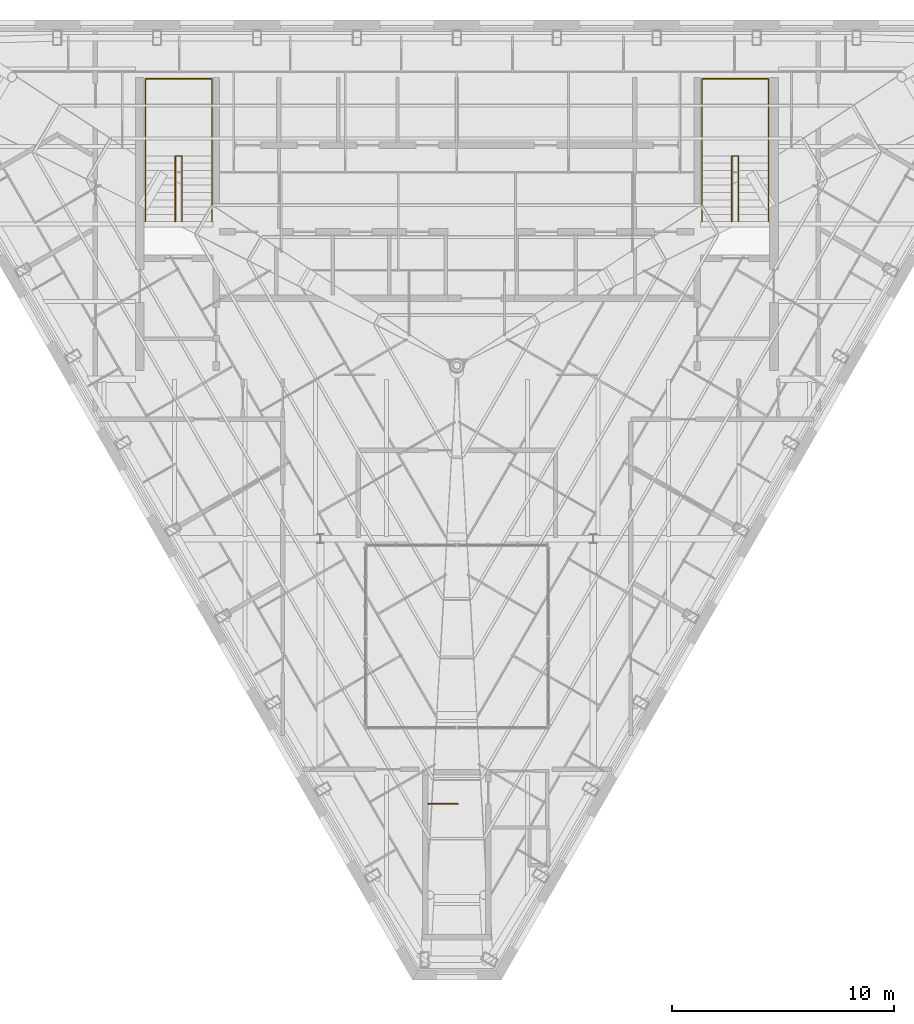
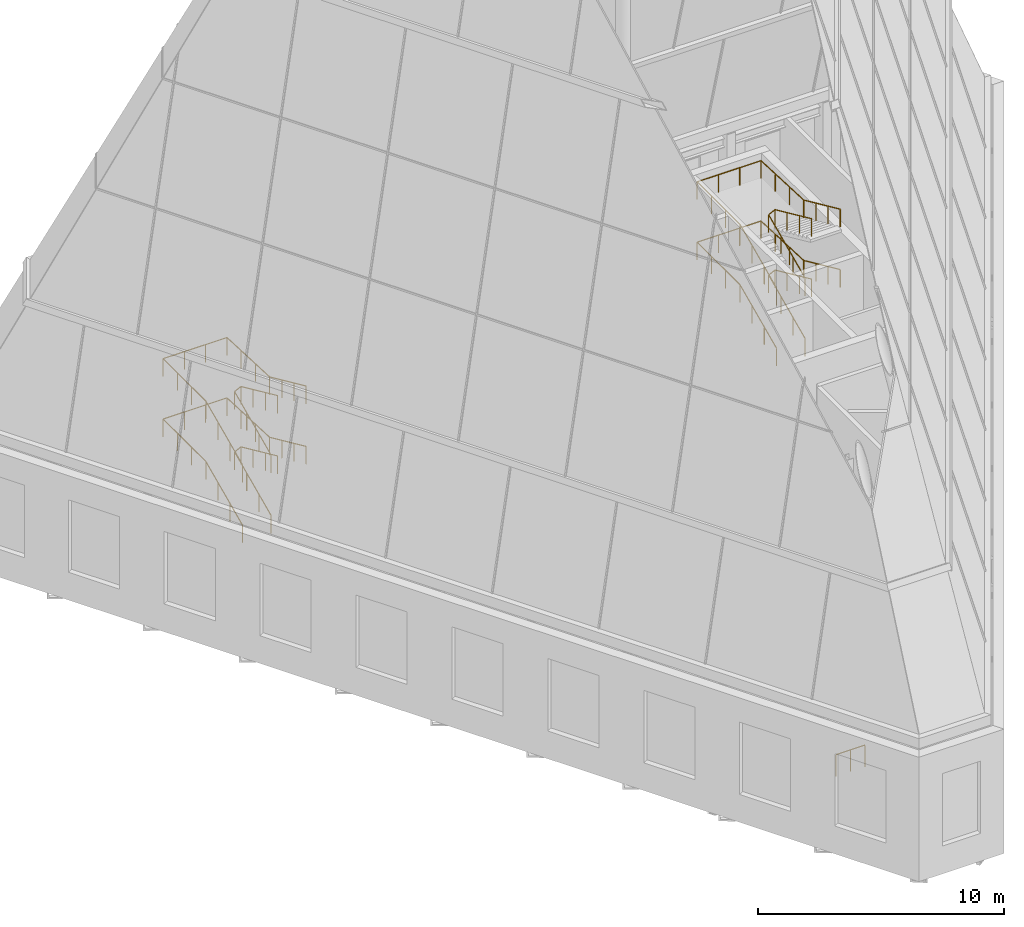
# One storey, part 36 of 36: 9 railings.
"""IFC4 building model written with IfcOpenShell, lengths in metres."""

from ifc_helpers import new_model, si_unit, direction, frame, origin, origin_2d, place, context, subcontext, project, spatial, circle, extrude, material, type_object, element, save


model = new_model("IFC4")

# Units and contexts
model_context = context("Model", 3, precision=1e-05, world=origin(), true_north=direction((0.0, 1.0)))
body_context = subcontext(model_context, "Body", "Model", "MODEL_VIEW")
ifc_project = project(units=[si_unit("LENGTHUNIT", "METRE"), si_unit("AREAUNIT", "SQUARE_METRE"), si_unit("VOLUMEUNIT", "CUBIC_METRE"), si_unit("PLANEANGLEUNIT", "RADIAN"), si_unit("MASSUNIT", "GRAM", prefix="KILO")], contexts=[model_context])

# Site, building, storey
site_placement = place(None, origin())
site = spatial("IfcSite", under=ifc_project, at=site_placement, CompositionType="ELEMENT")
building_placement = place(site_placement, origin())
building = spatial("IfcBuilding", under=site, at=building_placement, Name="Njiva Tower", CompositionType="ELEMENT")
storey_placement = place(building_placement, frame((0.0, 0.0, 337.8)))
storey = spatial("IfcBuildingStorey", under=building, at=storey_placement, Name="L77", CompositionType="ELEMENT", Elevation=337.8)

# Railings
ifc_material = material(Name="Stainless steel", Category="steel")
railing_type_1 = type_object("IfcRailingType", Name="RL1 Stair handrail 900", PredefinedType="HANDRAIL", material=ifc_material)
railing_1_placement = place(storey_placement, frame((-14.05, 11.1, 0.15)))
element("IfcRailing", 1, at=railing_1_placement, inside=storey, type_object=railing_type_1, Name="Stair A handrail", PredefinedType="HANDRAIL", context=body_context, shape_type="SweptSolid", body=[
    extrude(circle(Radius=0.024, at=origin_2d()), frame((0.0, 0.0, 0.876), z_axis=(0.0, 0.910366477463, 0.413802944301), x_axis=(-1.0, 0.0, 0.0)), (0.0, 0.0, 1.0), 3.2624),
    extrude(circle(Radius=0.024, at=origin_2d()), frame((0.0, 2.97, 2.226), z_axis=(0.0, 1.0, 0.0), x_axis=(-1.0, 0.0, 0.0)), (0.0, 0.0, 1.0), 3.48),
    extrude(circle(Radius=0.024, at=origin_2d()), frame((0.0, 6.45, 2.226), z_axis=(1.0, 0.0, 0.0), x_axis=(0.0, 1.0, 0.0)), (0.0, 0.0, 1.0), 3.0),
    extrude(circle(Radius=0.024, at=origin_2d()), frame((3.0, 6.45, 2.226), z_axis=(0.0, -0.999072338805, 0.04306346288), x_axis=(1.0, 0.0, 0.0)), (0.0, 0.0, 1.0), 3.4832),
    extrude(circle(Radius=0.024, at=origin_2d()), frame((3.0, 2.97, 2.376), z_axis=(0.0, -0.910366477463, 0.413802944301), x_axis=(1.0, 0.0, 0.0)), (0.0, 0.0, 1.0), 3.2624),
    extrude(circle(Radius=0.021, at=origin_2d()), origin(), (0.0, 0.0, 1.0), 0.852),
    extrude(circle(Radius=0.021, at=origin_2d()), frame((0.0, 0.99, 0.45)), (0.0, 0.0, 1.0), 0.852),
    extrude(circle(Radius=0.021, at=origin_2d()), frame((0.0, 1.98, 0.9)), (0.0, 0.0, 1.0), 0.852),
    extrude(circle(Radius=0.021, at=origin_2d()), frame((0.0, 2.97, 1.35)), (0.0, 0.0, 1.0), 0.852),
    extrude(circle(Radius=0.021, at=origin_2d()), frame((0.0, 4.13, 1.35)), (0.0, 0.0, 1.0), 0.852),
    extrude(circle(Radius=0.021, at=origin_2d()), frame((0.0, 5.29, 1.35)), (0.0, 0.0, 1.0), 0.852),
    extrude(circle(Radius=0.021, at=origin_2d()), frame((0.0, 6.45, 1.35)), (0.0, 0.0, 1.0), 0.852),
    extrude(circle(Radius=0.021, at=origin_2d()), frame((1.0, 6.45, 1.35)), (0.0, 0.0, 1.0), 0.852),
    extrude(circle(Radius=0.021, at=origin_2d()), frame((2.0, 6.45, 1.35)), (0.0, 0.0, 1.0), 0.852),
    extrude(circle(Radius=0.021, at=origin_2d()), frame((3.0, 6.45, 1.35)), (0.0, 0.0, 1.0), 0.852),
    extrude(circle(Radius=0.021, at=origin_2d()), frame((3.0, 5.29, 1.4)), (0.0, 0.0, 1.0), 0.852),
    extrude(circle(Radius=0.021, at=origin_2d()), frame((3.0, 4.13, 1.45)), (0.0, 0.0, 1.0), 0.852),
    extrude(circle(Radius=0.021, at=origin_2d()), frame((3.0, 2.97, 1.5)), (0.0, 0.0, 1.0), 0.852),
    extrude(circle(Radius=0.021, at=origin_2d()), frame((3.0, 1.98, 1.95)), (0.0, 0.0, 1.0), 0.852),
    extrude(circle(Radius=0.021, at=origin_2d()), frame((3.0, 0.99, 2.4)), (0.0, 0.0, 1.0), 0.852),
    extrude(circle(Radius=0.021, at=origin_2d()), frame((3.0, 0.0, 2.85)), (0.0, 0.0, 1.0), 0.852),
])
railing_2_placement = place(storey_placement, frame((-12.7, 11.1, 0.15)))
element("IfcRailing", 2, at=railing_2_placement, inside=storey, type_object=railing_type_1, Name="Stair A handrail", PredefinedType="HANDRAIL", context=body_context, shape_type="SweptSolid", body=[
    extrude(circle(Radius=0.024, at=origin_2d()), frame((0.0, 0.0, 0.876), z_axis=(0.0, 0.910366477463, 0.413802944301), x_axis=(-1.0, 0.0, 0.0)), (0.0, 0.0, 1.0), 3.2624),
    extrude(circle(Radius=0.024, at=origin_2d()), frame((0.0, 2.97, 2.226), z_axis=(0.894427191, 0.0, 0.4472135955), x_axis=(0.0, 1.0, 0.0)), (0.0, 0.0, 1.0), 0.3354),
    extrude(circle(Radius=0.024, at=origin_2d()), frame((0.3, 2.97, 2.376), z_axis=(0.0, -0.910366477463, 0.413802944301), x_axis=(1.0, 0.0, 0.0)), (0.0, 0.0, 1.0), 3.2624),
    extrude(circle(Radius=0.021, at=origin_2d()), origin(), (0.0, 0.0, 1.0), 0.852),
    extrude(circle(Radius=0.021, at=origin_2d()), frame((0.0, 0.99, 0.45)), (0.0, 0.0, 1.0), 0.852),
    extrude(circle(Radius=0.021, at=origin_2d()), frame((0.0, 1.98, 0.9)), (0.0, 0.0, 1.0), 0.852),
    extrude(circle(Radius=0.021, at=origin_2d()), frame((0.0, 2.97, 1.35)), (0.0, 0.0, 1.0), 0.852),
    extrude(circle(Radius=0.021, at=origin_2d()), frame((0.3, 2.97, 1.5)), (0.0, 0.0, 1.0), 0.852),
    extrude(circle(Radius=0.021, at=origin_2d()), frame((0.3, 1.98, 1.95)), (0.0, 0.0, 1.0), 0.852),
    extrude(circle(Radius=0.021, at=origin_2d()), frame((0.3, 0.99, 2.4)), (0.0, 0.0, 1.0), 0.852),
    extrude(circle(Radius=0.021, at=origin_2d()), frame((0.3, 0.0, 2.85)), (0.0, 0.0, 1.0), 0.852),
])
railing_3_placement = place(storey_placement, frame((-14.05, 11.1, 3.15)))
element("IfcRailing", 3, at=railing_3_placement, inside=storey, type_object=railing_type_1, Name="Stair A handrail", PredefinedType="HANDRAIL", context=body_context, shape_type="SweptSolid", body=[
    extrude(circle(Radius=0.024, at=origin_2d()), frame((0.0, 0.0, 0.876), z_axis=(0.0, 0.910366477463, 0.413802944301), x_axis=(-1.0, 0.0, 0.0)), (0.0, 0.0, 1.0), 3.2624),
    extrude(circle(Radius=0.024, at=origin_2d()), frame((0.0, 2.97, 2.226), z_axis=(0.0, 1.0, 0.0), x_axis=(-1.0, 0.0, 0.0)), (0.0, 0.0, 1.0), 3.48),
    extrude(circle(Radius=0.024, at=origin_2d()), frame((0.0, 6.45, 2.226), z_axis=(1.0, 0.0, 0.0), x_axis=(0.0, 1.0, 0.0)), (0.0, 0.0, 1.0), 3.0),
    extrude(circle(Radius=0.024, at=origin_2d()), frame((3.0, 6.45, 2.226), z_axis=(0.0, -0.999072338805, 0.04306346288), x_axis=(1.0, 0.0, 0.0)), (0.0, 0.0, 1.0), 3.4832),
    extrude(circle(Radius=0.024, at=origin_2d()), frame((3.0, 2.97, 2.376), z_axis=(0.0, -0.910366477463, 0.413802944301), x_axis=(1.0, 0.0, 0.0)), (0.0, 0.0, 1.0), 3.2624),
    extrude(circle(Radius=0.021, at=origin_2d()), origin(), (0.0, 0.0, 1.0), 0.852),
    extrude(circle(Radius=0.021, at=origin_2d()), frame((0.0, 0.99, 0.45)), (0.0, 0.0, 1.0), 0.852),
    extrude(circle(Radius=0.021, at=origin_2d()), frame((0.0, 1.98, 0.9)), (0.0, 0.0, 1.0), 0.852),
    extrude(circle(Radius=0.021, at=origin_2d()), frame((0.0, 2.97, 1.35)), (0.0, 0.0, 1.0), 0.852),
    extrude(circle(Radius=0.021, at=origin_2d()), frame((0.0, 4.13, 1.35)), (0.0, 0.0, 1.0), 0.852),
    extrude(circle(Radius=0.021, at=origin_2d()), frame((0.0, 5.29, 1.35)), (0.0, 0.0, 1.0), 0.852),
    extrude(circle(Radius=0.021, at=origin_2d()), frame((0.0, 6.45, 1.35)), (0.0, 0.0, 1.0), 0.852),
    extrude(circle(Radius=0.021, at=origin_2d()), frame((1.0, 6.45, 1.35)), (0.0, 0.0, 1.0), 0.852),
    extrude(circle(Radius=0.021, at=origin_2d()), frame((2.0, 6.45, 1.35)), (0.0, 0.0, 1.0), 0.852),
    extrude(circle(Radius=0.021, at=origin_2d()), frame((3.0, 6.45, 1.35)), (0.0, 0.0, 1.0), 0.852),
    extrude(circle(Radius=0.021, at=origin_2d()), frame((3.0, 5.29, 1.4)), (0.0, 0.0, 1.0), 0.852),
    extrude(circle(Radius=0.021, at=origin_2d()), frame((3.0, 4.13, 1.45)), (0.0, 0.0, 1.0), 0.852),
    extrude(circle(Radius=0.021, at=origin_2d()), frame((3.0, 2.97, 1.5)), (0.0, 0.0, 1.0), 0.852),
    extrude(circle(Radius=0.021, at=origin_2d()), frame((3.0, 1.98, 1.95)), (0.0, 0.0, 1.0), 0.852),
    extrude(circle(Radius=0.021, at=origin_2d()), frame((3.0, 0.99, 2.4)), (0.0, 0.0, 1.0), 0.852),
    extrude(circle(Radius=0.021, at=origin_2d()), frame((3.0, 0.0, 2.85)), (0.0, 0.0, 1.0), 0.852),
])
railing_4_placement = place(storey_placement, frame((-12.7, 11.1, 3.15)))
element("IfcRailing", 4, at=railing_4_placement, inside=storey, type_object=railing_type_1, Name="Stair A handrail", PredefinedType="HANDRAIL", context=body_context, shape_type="SweptSolid", body=[
    extrude(circle(Radius=0.024, at=origin_2d()), frame((0.0, 0.0, 0.876), z_axis=(0.0, 0.910366477463, 0.413802944301), x_axis=(-1.0, 0.0, 0.0)), (0.0, 0.0, 1.0), 3.2624),
    extrude(circle(Radius=0.024, at=origin_2d()), frame((0.0, 2.97, 2.226), z_axis=(0.894427191, 0.0, 0.4472135955), x_axis=(0.0, 1.0, 0.0)), (0.0, 0.0, 1.0), 0.3354),
    extrude(circle(Radius=0.024, at=origin_2d()), frame((0.3, 2.97, 2.376), z_axis=(0.0, -0.910366477463, 0.413802944301), x_axis=(1.0, 0.0, 0.0)), (0.0, 0.0, 1.0), 3.2624),
    extrude(circle(Radius=0.021, at=origin_2d()), origin(), (0.0, 0.0, 1.0), 0.852),
    extrude(circle(Radius=0.021, at=origin_2d()), frame((0.0, 0.99, 0.45)), (0.0, 0.0, 1.0), 0.852),
    extrude(circle(Radius=0.021, at=origin_2d()), frame((0.0, 1.98, 0.9)), (0.0, 0.0, 1.0), 0.852),
    extrude(circle(Radius=0.021, at=origin_2d()), frame((0.0, 2.97, 1.35)), (0.0, 0.0, 1.0), 0.852),
    extrude(circle(Radius=0.021, at=origin_2d()), frame((0.3, 2.97, 1.5)), (0.0, 0.0, 1.0), 0.852),
    extrude(circle(Radius=0.021, at=origin_2d()), frame((0.3, 1.98, 1.95)), (0.0, 0.0, 1.0), 0.852),
    extrude(circle(Radius=0.021, at=origin_2d()), frame((0.3, 0.99, 2.4)), (0.0, 0.0, 1.0), 0.852),
    extrude(circle(Radius=0.021, at=origin_2d()), frame((0.3, 0.0, 2.85)), (0.0, 0.0, 1.0), 0.852),
])
railing_5_placement = place(storey_placement, frame((11.05, 11.1, 0.15)))
element("IfcRailing", 5, at=railing_5_placement, inside=storey, type_object=railing_type_1, Name="Stair B handrail", PredefinedType="HANDRAIL", context=body_context, shape_type="SweptSolid", body=[
    extrude(circle(Radius=0.024, at=origin_2d()), frame((0.0, 0.0, 0.876), z_axis=(0.0, 0.910366477463, 0.413802944301), x_axis=(-1.0, 0.0, 0.0)), (0.0, 0.0, 1.0), 3.2624),
    extrude(circle(Radius=0.024, at=origin_2d()), frame((0.0, 2.97, 2.226), z_axis=(0.0, 1.0, 0.0), x_axis=(-1.0, 0.0, 0.0)), (0.0, 0.0, 1.0), 3.48),
    extrude(circle(Radius=0.024, at=origin_2d()), frame((0.0, 6.45, 2.226), z_axis=(1.0, 0.0, 0.0), x_axis=(0.0, 1.0, 0.0)), (0.0, 0.0, 1.0), 3.0),
    extrude(circle(Radius=0.024, at=origin_2d()), frame((3.0, 6.45, 2.226), z_axis=(0.0, -0.999072338805, 0.04306346288), x_axis=(1.0, 0.0, 0.0)), (0.0, 0.0, 1.0), 3.4832),
    extrude(circle(Radius=0.024, at=origin_2d()), frame((3.0, 2.97, 2.376), z_axis=(0.0, -0.910366477463, 0.413802944301), x_axis=(1.0, 0.0, 0.0)), (0.0, 0.0, 1.0), 3.2624),
    extrude(circle(Radius=0.021, at=origin_2d()), origin(), (0.0, 0.0, 1.0), 0.852),
    extrude(circle(Radius=0.021, at=origin_2d()), frame((0.0, 0.99, 0.45)), (0.0, 0.0, 1.0), 0.852),
    extrude(circle(Radius=0.021, at=origin_2d()), frame((0.0, 1.98, 0.9)), (0.0, 0.0, 1.0), 0.852),
    extrude(circle(Radius=0.021, at=origin_2d()), frame((0.0, 2.97, 1.35)), (0.0, 0.0, 1.0), 0.852),
    extrude(circle(Radius=0.021, at=origin_2d()), frame((0.0, 4.13, 1.35)), (0.0, 0.0, 1.0), 0.852),
    extrude(circle(Radius=0.021, at=origin_2d()), frame((0.0, 5.29, 1.35)), (0.0, 0.0, 1.0), 0.852),
    extrude(circle(Radius=0.021, at=origin_2d()), frame((0.0, 6.45, 1.35)), (0.0, 0.0, 1.0), 0.852),
    extrude(circle(Radius=0.021, at=origin_2d()), frame((1.0, 6.45, 1.35)), (0.0, 0.0, 1.0), 0.852),
    extrude(circle(Radius=0.021, at=origin_2d()), frame((2.0, 6.45, 1.35)), (0.0, 0.0, 1.0), 0.852),
    extrude(circle(Radius=0.021, at=origin_2d()), frame((3.0, 6.45, 1.35)), (0.0, 0.0, 1.0), 0.852),
    extrude(circle(Radius=0.021, at=origin_2d()), frame((3.0, 5.29, 1.4)), (0.0, 0.0, 1.0), 0.852),
    extrude(circle(Radius=0.021, at=origin_2d()), frame((3.0, 4.13, 1.45)), (0.0, 0.0, 1.0), 0.852),
    extrude(circle(Radius=0.021, at=origin_2d()), frame((3.0, 2.97, 1.5)), (0.0, 0.0, 1.0), 0.852),
    extrude(circle(Radius=0.021, at=origin_2d()), frame((3.0, 1.98, 1.95)), (0.0, 0.0, 1.0), 0.852),
    extrude(circle(Radius=0.021, at=origin_2d()), frame((3.0, 0.99, 2.4)), (0.0, 0.0, 1.0), 0.852),
    extrude(circle(Radius=0.021, at=origin_2d()), frame((3.0, 0.0, 2.85)), (0.0, 0.0, 1.0), 0.852),
])
railing_6_placement = place(storey_placement, frame((12.4, 11.1, 0.15)))
element("IfcRailing", 6, at=railing_6_placement, inside=storey, type_object=railing_type_1, Name="Stair B handrail", PredefinedType="HANDRAIL", context=body_context, shape_type="SweptSolid", body=[
    extrude(circle(Radius=0.024, at=origin_2d()), frame((0.0, 0.0, 0.876), z_axis=(0.0, 0.910366477463, 0.413802944301), x_axis=(-1.0, 0.0, 0.0)), (0.0, 0.0, 1.0), 3.2624),
    extrude(circle(Radius=0.024, at=origin_2d()), frame((0.0, 2.97, 2.226), z_axis=(0.894427191, 0.0, 0.4472135955), x_axis=(0.0, 1.0, 0.0)), (0.0, 0.0, 1.0), 0.3354),
    extrude(circle(Radius=0.024, at=origin_2d()), frame((0.3, 2.97, 2.376), z_axis=(0.0, -0.910366477463, 0.413802944301), x_axis=(1.0, 0.0, 0.0)), (0.0, 0.0, 1.0), 3.2624),
    extrude(circle(Radius=0.021, at=origin_2d()), origin(), (0.0, 0.0, 1.0), 0.852),
    extrude(circle(Radius=0.021, at=origin_2d()), frame((0.0, 0.99, 0.45)), (0.0, 0.0, 1.0), 0.852),
    extrude(circle(Radius=0.021, at=origin_2d()), frame((0.0, 1.98, 0.9)), (0.0, 0.0, 1.0), 0.852),
    extrude(circle(Radius=0.021, at=origin_2d()), frame((0.0, 2.97, 1.35)), (0.0, 0.0, 1.0), 0.852),
    extrude(circle(Radius=0.021, at=origin_2d()), frame((0.3, 2.97, 1.5)), (0.0, 0.0, 1.0), 0.852),
    extrude(circle(Radius=0.021, at=origin_2d()), frame((0.3, 1.98, 1.95)), (0.0, 0.0, 1.0), 0.852),
    extrude(circle(Radius=0.021, at=origin_2d()), frame((0.3, 0.99, 2.4)), (0.0, 0.0, 1.0), 0.852),
    extrude(circle(Radius=0.021, at=origin_2d()), frame((0.3, 0.0, 2.85)), (0.0, 0.0, 1.0), 0.852),
])
railing_7_placement = place(storey_placement, frame((11.05, 11.1, 3.15)))
element("IfcRailing", 7, at=railing_7_placement, inside=storey, type_object=railing_type_1, Name="Stair B handrail", PredefinedType="HANDRAIL", context=body_context, shape_type="SweptSolid", body=[
    extrude(circle(Radius=0.024, at=origin_2d()), frame((0.0, 0.0, 0.876), z_axis=(0.0, 0.910366477463, 0.413802944301), x_axis=(-1.0, 0.0, 0.0)), (0.0, 0.0, 1.0), 3.2624),
    extrude(circle(Radius=0.024, at=origin_2d()), frame((0.0, 2.97, 2.226), z_axis=(0.0, 1.0, 0.0), x_axis=(-1.0, 0.0, 0.0)), (0.0, 0.0, 1.0), 3.48),
    extrude(circle(Radius=0.024, at=origin_2d()), frame((0.0, 6.45, 2.226), z_axis=(1.0, 0.0, 0.0), x_axis=(0.0, 1.0, 0.0)), (0.0, 0.0, 1.0), 3.0),
    extrude(circle(Radius=0.024, at=origin_2d()), frame((3.0, 6.45, 2.226), z_axis=(0.0, -0.999072338805, 0.04306346288), x_axis=(1.0, 0.0, 0.0)), (0.0, 0.0, 1.0), 3.4832),
    extrude(circle(Radius=0.024, at=origin_2d()), frame((3.0, 2.97, 2.376), z_axis=(0.0, -0.910366477463, 0.413802944301), x_axis=(1.0, 0.0, 0.0)), (0.0, 0.0, 1.0), 3.2624),
    extrude(circle(Radius=0.021, at=origin_2d()), origin(), (0.0, 0.0, 1.0), 0.852),
    extrude(circle(Radius=0.021, at=origin_2d()), frame((0.0, 0.99, 0.45)), (0.0, 0.0, 1.0), 0.852),
    extrude(circle(Radius=0.021, at=origin_2d()), frame((0.0, 1.98, 0.9)), (0.0, 0.0, 1.0), 0.852),
    extrude(circle(Radius=0.021, at=origin_2d()), frame((0.0, 2.97, 1.35)), (0.0, 0.0, 1.0), 0.852),
    extrude(circle(Radius=0.021, at=origin_2d()), frame((0.0, 4.13, 1.35)), (0.0, 0.0, 1.0), 0.852),
    extrude(circle(Radius=0.021, at=origin_2d()), frame((0.0, 5.29, 1.35)), (0.0, 0.0, 1.0), 0.852),
    extrude(circle(Radius=0.021, at=origin_2d()), frame((0.0, 6.45, 1.35)), (0.0, 0.0, 1.0), 0.852),
    extrude(circle(Radius=0.021, at=origin_2d()), frame((1.0, 6.45, 1.35)), (0.0, 0.0, 1.0), 0.852),
    extrude(circle(Radius=0.021, at=origin_2d()), frame((2.0, 6.45, 1.35)), (0.0, 0.0, 1.0), 0.852),
    extrude(circle(Radius=0.021, at=origin_2d()), frame((3.0, 6.45, 1.35)), (0.0, 0.0, 1.0), 0.852),
    extrude(circle(Radius=0.021, at=origin_2d()), frame((3.0, 5.29, 1.4)), (0.0, 0.0, 1.0), 0.852),
    extrude(circle(Radius=0.021, at=origin_2d()), frame((3.0, 4.13, 1.45)), (0.0, 0.0, 1.0), 0.852),
    extrude(circle(Radius=0.021, at=origin_2d()), frame((3.0, 2.97, 1.5)), (0.0, 0.0, 1.0), 0.852),
    extrude(circle(Radius=0.021, at=origin_2d()), frame((3.0, 1.98, 1.95)), (0.0, 0.0, 1.0), 0.852),
    extrude(circle(Radius=0.021, at=origin_2d()), frame((3.0, 0.99, 2.4)), (0.0, 0.0, 1.0), 0.852),
    extrude(circle(Radius=0.021, at=origin_2d()), frame((3.0, 0.0, 2.85)), (0.0, 0.0, 1.0), 0.852),
])
railing_8_placement = place(storey_placement, frame((12.4, 11.1, 3.15)))
element("IfcRailing", 8, at=railing_8_placement, inside=storey, type_object=railing_type_1, Name="Stair B handrail", PredefinedType="HANDRAIL", context=body_context, shape_type="SweptSolid", body=[
    extrude(circle(Radius=0.024, at=origin_2d()), frame((0.0, 0.0, 0.876), z_axis=(0.0, 0.910366477463, 0.413802944301), x_axis=(-1.0, 0.0, 0.0)), (0.0, 0.0, 1.0), 3.2624),
    extrude(circle(Radius=0.024, at=origin_2d()), frame((0.0, 2.97, 2.226), z_axis=(0.894427191, 0.0, 0.4472135955), x_axis=(0.0, 1.0, 0.0)), (0.0, 0.0, 1.0), 0.3354),
    extrude(circle(Radius=0.024, at=origin_2d()), frame((0.3, 2.97, 2.376), z_axis=(0.0, -0.910366477463, 0.413802944301), x_axis=(1.0, 0.0, 0.0)), (0.0, 0.0, 1.0), 3.2624),
    extrude(circle(Radius=0.021, at=origin_2d()), origin(), (0.0, 0.0, 1.0), 0.852),
    extrude(circle(Radius=0.021, at=origin_2d()), frame((0.0, 0.99, 0.45)), (0.0, 0.0, 1.0), 0.852),
    extrude(circle(Radius=0.021, at=origin_2d()), frame((0.0, 1.98, 0.9)), (0.0, 0.0, 1.0), 0.852),
    extrude(circle(Radius=0.021, at=origin_2d()), frame((0.0, 2.97, 1.35)), (0.0, 0.0, 1.0), 0.852),
    extrude(circle(Radius=0.021, at=origin_2d()), frame((0.3, 2.97, 1.5)), (0.0, 0.0, 1.0), 0.852),
    extrude(circle(Radius=0.021, at=origin_2d()), frame((0.3, 1.98, 1.95)), (0.0, 0.0, 1.0), 0.852),
    extrude(circle(Radius=0.021, at=origin_2d()), frame((0.3, 0.99, 2.4)), (0.0, 0.0, 1.0), 0.852),
    extrude(circle(Radius=0.021, at=origin_2d()), frame((0.3, 0.0, 2.85)), (0.0, 0.0, 1.0), 0.852),
])
railing_type_2 = type_object("IfcRailingType", Name="RL2 Stair guard 1100", PredefinedType="GUARDRAIL", material=ifc_material)
railing_9_placement = place(storey_placement, frame((-1.3, -15.16, 0.0)))
element("IfcRailing", 9, at=railing_9_placement, inside=storey, type_object=railing_type_2, Name="Stair C top guard", PredefinedType="GUARDRAIL", context=body_context, shape_type="SweptSolid", body=[
    extrude(circle(Radius=0.024, at=origin_2d()), frame((0.0, 0.0, 1.076), z_axis=(1.0, 0.0, 0.0), x_axis=(0.0, 1.0, 0.0)), (0.0, 0.0, 1.0), 1.35),
    extrude(circle(Radius=0.021, at=origin_2d()), origin(), (0.0, 0.0, 1.0), 1.052),
    extrude(circle(Radius=0.021, at=origin_2d()), frame((0.675, 0.0, 0.0)), (0.0, 0.0, 1.0), 1.052),
    extrude(circle(Radius=0.021, at=origin_2d()), frame((1.35, 0.0, 0.0)), (0.0, 0.0, 1.0), 1.052),
])

save(model, "model.ifc")
